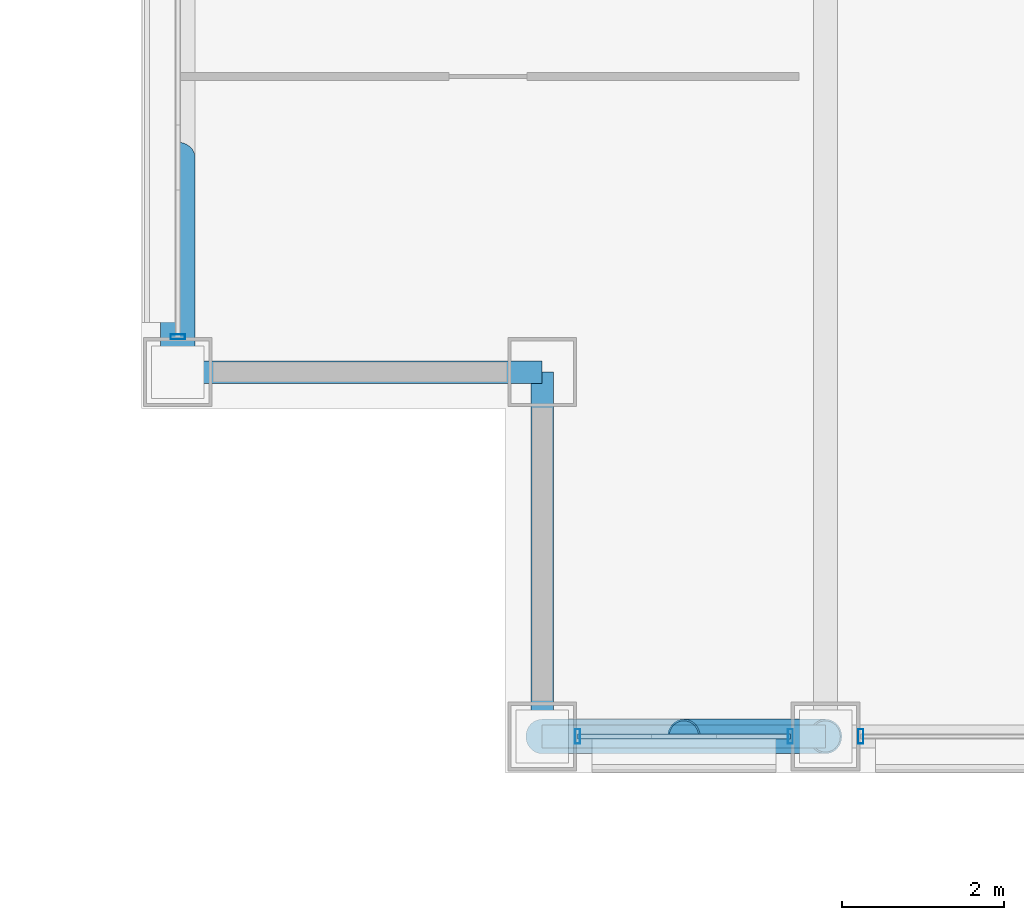
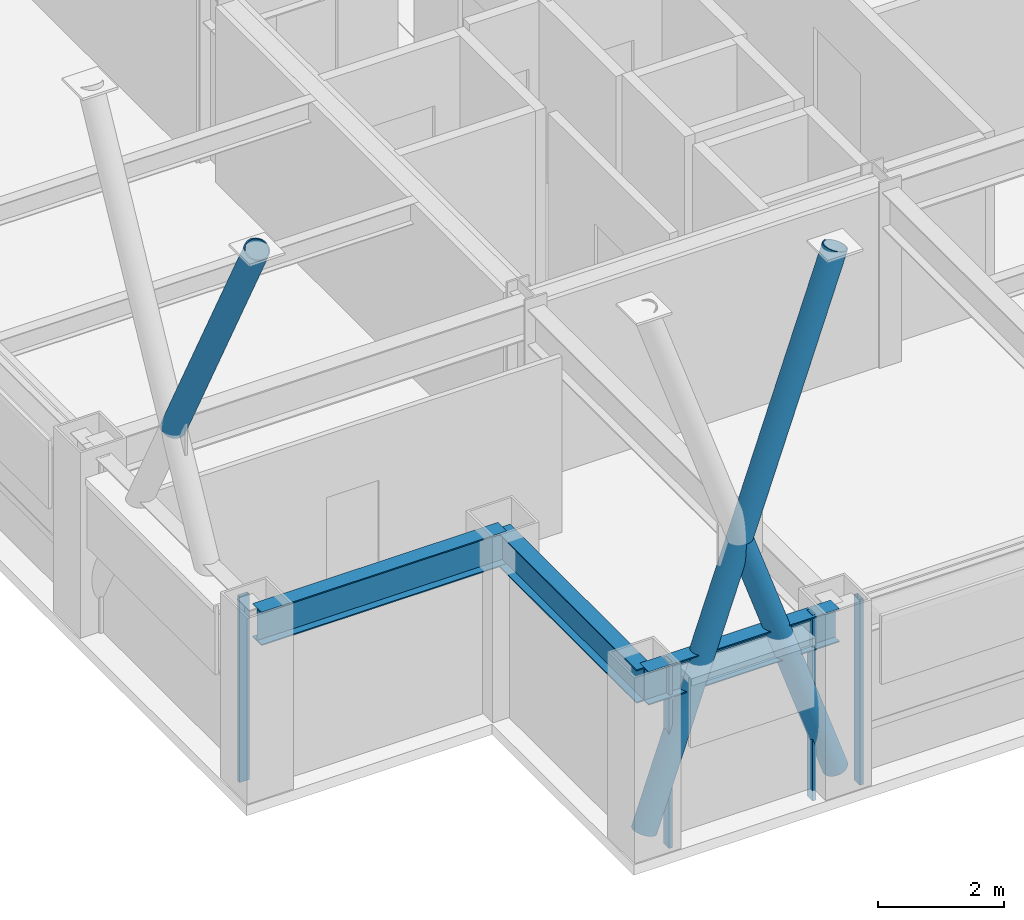
# One storey, part 2 of 32: 8 members, 3 beams, 3 elements without a shape of their own.
"""IFC4 building model written with IfcOpenShell, lengths in metres."""

import ifcopenshell
import ifcopenshell.guid

model = None  # the IFC model being written
_history = None  # IfcOwnerHistory: only IFC2X3 demands one
_inside = {}  # id of a spatial element -> (the spatial element, [elements in it])
_under = {}  # id of a project, library or spatial element -> (it, [spatial elements below it])
_declared = {}  # id of a project -> (the project, [libraries it declares])
_typed = {}  # id of a type object -> (the type object, [elements of that type])
_made_of = {}  # id of a material, layer set ... -> (it, [elements and type objects made of it])


def new_model(schema):
    """Start an empty IFC model of exactly this schema.

    Asked for "IFC4X3", IfcOpenShell would pick the latest addendum, in which some entities
    have other attributes; the version numbers below select the first issue.
    IFC2X3 requires an IfcOwnerHistory on every rooted entity: one is made here for all.
    """
    global model, _history
    if schema == "IFC4X3":
        model = ifcopenshell.file(schema_version=(4, 3, 0, 0))
    else:
        model = ifcopenshell.file(schema=schema)
    _inside.clear()
    _under.clear()
    _declared.clear()
    _typed.clear()
    _made_of.clear()
    _history = None
    if model.schema == "IFC2X3":
        org = make("IfcOrganization", Name="unknown")
        user = make(
            "IfcPersonAndOrganization",
            ThePerson=make("IfcPerson", FamilyName="unknown"),
            TheOrganization=org,
        )
        app = make(
            "IfcApplication",
            ApplicationDeveloper=org,
            Version="unknown",
            ApplicationFullName="unknown",
            ApplicationIdentifier="unknown",
        )
        _history = make(
            "IfcOwnerHistory",
            OwningUser=user,
            OwningApplication=app,
            ChangeAction="ADDED",
            CreationDate=0,
        )
    return model


def make(cls, **values):
    """One entity of the class cls with the attributes given. An attribute that is None is left unset."""
    return model.create_entity(
        cls, **{name: value for name, value in values.items() if value is not None}
    )


def rooted(cls, **values):
    """An entity with a GlobalId (a new one), such as an element, a storey or a relation."""
    return make(cls, GlobalId=ifcopenshell.guid.new(), OwnerHistory=_history, **values)


def si_unit(unit_type, name, prefix=None):
    """IfcSIUnit, for example si_unit("LENGTHUNIT", "METRE", prefix="MILLI")."""
    return make("IfcSIUnit", UnitType=unit_type, Prefix=prefix, Name=name)


def assignment(units):
    """IfcUnitAssignment: the units of a project."""
    return None if units is None else make("IfcUnitAssignment", Units=units)


def point(xyz):
    """IfcCartesianPoint."""
    return None if xyz is None else make("IfcCartesianPoint", Coordinates=xyz)


def direction(xyz):
    """IfcDirection."""
    return None if xyz is None else make("IfcDirection", DirectionRatios=xyz)


def frame(location, z_axis=None, x_axis=None):
    """IfcAxis2Placement3D, a coordinate frame: its origin and axes. An axis left out is left unset."""
    return make(
        "IfcAxis2Placement3D",
        Location=point(location),
        Axis=direction(z_axis),
        RefDirection=direction(x_axis),
    )


def frame_2d(location, x_axis=None):
    """IfcAxis2Placement2D, a coordinate frame in the plane: its origin and x axis."""
    return make(
        "IfcAxis2Placement2D", Location=point(location), RefDirection=direction(x_axis)
    )


def origin():
    """The frame at (0, 0, 0) with its axes left unset."""
    return frame((0.0, 0.0, 0.0))


def origin_2d():
    """The frame at (0, 0) in the plane with its x axis left unset."""
    return frame_2d((0.0, 0.0))


def place(relative_to, where):
    """IfcLocalPlacement: puts the frame where relative to a parent placement (None: the world)."""
    return make(
        "IfcLocalPlacement", PlacementRelTo=relative_to, RelativePlacement=where
    )


def context(
    kind, dimensions, precision=None, world=None, true_north=None, identifier=None
):
    """IfcGeometricRepresentationContext, for example the 3D "Model" context."""
    return make(
        "IfcGeometricRepresentationContext",
        ContextIdentifier=identifier,
        ContextType=kind,
        CoordinateSpaceDimension=dimensions,
        Precision=precision,
        WorldCoordinateSystem=world,
        TrueNorth=true_north,
    )


def subcontext(parent, identifier, kind, view, scale=None):
    """IfcGeometricRepresentationSubContext, for example "Body" below "Model"."""
    return make(
        "IfcGeometricRepresentationSubContext",
        ContextIdentifier=identifier,
        ContextType=kind,
        ParentContext=parent,
        TargetScale=scale,
        TargetView=view,
    )


def project(units=None, contexts=None):
    """IfcProject with its units and contexts."""
    return rooted(
        "IfcProject",
        Name="project",
        RepresentationContexts=contexts,
        UnitsInContext=assignment(units),
    )


def spatial(cls, under=None, at=None, **own):
    """A site, building, storey or space (cls), placed at a placement, below another one or the project."""
    s = rooted(cls, ObjectPlacement=at, **own)
    if under is not None:
        _under.setdefault(under.id(), (under, []))[1].append(s)
    return s


def profile(cls, at=None, kind="AREA", **sizes):
    """A parametric profile (cls). Its sizes go by their IFC names, for example OverallWidth=200.0."""
    return make(cls, ProfileType=kind, Position=at, **sizes)


def hollow_rectangle(**sizes):
    """IfcRectangleHollowProfileDef."""
    return profile("IfcRectangleHollowProfileDef", **sizes)


def hollow_circle(**sizes):
    """IfcCircleHollowProfileDef."""
    return profile("IfcCircleHollowProfileDef", **sizes)


def i_section(**sizes):
    """IfcIShapeProfileDef."""
    return profile("IfcIShapeProfileDef", **sizes)


def extrude(swept, where, along, depth):
    """IfcExtrudedAreaSolid: the profile swept, set in the frame where, extruded along a direction by depth."""
    return make(
        "IfcExtrudedAreaSolid",
        SweptArea=swept,
        Position=where,
        ExtrudedDirection=direction(along),
        Depth=depth,
    )


def shape(context_of_items, identifier, shape_type, items):
    """IfcShapeRepresentation: the items that make up one representation, for example the "Body"."""
    return make(
        "IfcShapeRepresentation",
        ContextOfItems=context_of_items,
        RepresentationIdentifier=identifier,
        RepresentationType=shape_type,
        Items=items,
    )


def material(Name=None, Category=None):
    """IfcMaterial."""
    return make("IfcMaterial", Name=Name, Category=Category)


def layer(
    of_material, thickness, ventilated=None, Name=None, Category=None, Priority=None
):
    """IfcMaterialLayer: one layer of a wall or slab, of a material (None: an air gap)."""
    return make(
        "IfcMaterialLayer",
        Material=of_material,
        LayerThickness=thickness,
        IsVentilated=ventilated,
        Name=Name,
        Category=Category,
        Priority=Priority,
    )


def layer_set(layers, Name=None):
    """IfcMaterialLayerSet."""
    return make("IfcMaterialLayerSet", MaterialLayers=layers, LayerSetName=Name)


def material_profile(
    of_material, cross_section, Name=None, Category=None, Priority=None
):
    """IfcMaterialProfile: a cross section and its material."""
    return make(
        "IfcMaterialProfile",
        Name=Name,
        Material=of_material,
        Profile=cross_section,
        Priority=Priority,
        Category=Category,
    )


def profile_set(profiles, Name=None, composite=None):
    """IfcMaterialProfileSet."""
    return make(
        "IfcMaterialProfileSet",
        Name=Name,
        MaterialProfiles=profiles,
        CompositeProfile=composite,
    )


def made_of(thing, what):
    """Note that an element or type object is made of a material, layer set ...; save() writes the relation."""
    if what is not None:
        _made_of.setdefault(what.id(), (what, []))[1].append(thing)
    return thing


def type_object(cls, material=None, **own):
    """A type object (cls), such as IfcWallType, which elements share."""
    return made_of(rooted(cls, **own), material)


def element(
    cls,
    number,
    at=None,
    inside=None,
    cuts=None,
    type_object=None,
    material=None,
    context=None,
    identifier="Body",
    shape_type=None,
    held_by="IfcProductDefinitionShape",
    body=None,
    shapes=None,
    **own,
):
    """One element of the class cls, such as IfcWall. Its Tag is "e" and its number.

    at: its placement. inside: the storey or other place that contains it. cuts: it is an
    opening in that element (IfcRelVoidsElement). A single representation is given by context,
    identifier, shape_type and body (its items); several are given by shapes. held_by: the class
    of the entity that holds the representations. save() writes the other relations.
    """
    e = rooted(cls, Tag="e%d" % number, ObjectPlacement=at, **own)
    if body is not None:
        shapes = [shape(context, identifier, shape_type, body)]
    if shapes is not None:
        e.Representation = make(held_by, Representations=shapes)
    if inside is not None:
        _inside.setdefault(inside.id(), (inside, []))[1].append(e)
    if cuts is not None:
        rooted(
            "IfcRelVoidsElement", RelatingBuildingElement=cuts, RelatedOpeningElement=e
        )
    if type_object is not None:
        _typed.setdefault(type_object.id(), (type_object, []))[1].append(e)
    return made_of(e, material)


def aggregate(whole, parts):
    """IfcRelAggregates: a whole, such as a stair, and the parts it consists of."""
    return rooted("IfcRelAggregates", RelatingObject=whole, RelatedObjects=parts)


def save(model, path):
    """Write the relations noted so far, then the file.

    IfcRelAggregates (storeys below a building ...), IfcRelContainedInSpatialStructure (elements
    in a storey), IfcRelDefinesByType, IfcRelAssociatesMaterial and IfcRelDeclares: one each for
    every whole, place, type object, material and project.
    """
    for whole, parts in _under.values():
        aggregate(whole, parts)
    for where, things in _inside.values():
        rooted(
            "IfcRelContainedInSpatialStructure",
            RelatedElements=things,
            RelatingStructure=where,
        )
    for kind, things in _typed.values():
        rooted("IfcRelDefinesByType", RelatedObjects=things, RelatingType=kind)
    for what, things in _made_of.values():
        rooted("IfcRelAssociatesMaterial", RelatedObjects=things, RelatingMaterial=what)
    for by, libraries in _declared.values():
        rooted("IfcRelDeclares", RelatingContext=by, RelatedDefinitions=libraries)
    model.write(path)


model = new_model("IFC4")

# Units and contexts
model_context = context("Model", 3, precision=1e-05, world=origin(), true_north=direction((0.0, 1.0)))
body_context = subcontext(model_context, "Body", "Model", "MODEL_VIEW")
ifc_project = project(units=[si_unit("LENGTHUNIT", "METRE"), si_unit("AREAUNIT", "SQUARE_METRE"), si_unit("VOLUMEUNIT", "CUBIC_METRE"), si_unit("PLANEANGLEUNIT", "RADIAN"), si_unit("MASSUNIT", "GRAM", prefix="KILO")], contexts=[model_context])

# Site, building, storey
site_placement = place(None, origin())
site = spatial("IfcSite", under=ifc_project, at=site_placement, CompositionType="ELEMENT")
building_placement = place(site_placement, origin())
building = spatial("IfcBuilding", under=site, at=building_placement, Name="Brelmoor Portico Tower", CompositionType="ELEMENT")
storey_placement = place(building_placement, frame((0.0, 0.0, 109.800048828125)))
storey = spatial("IfcBuildingStorey", under=building, at=storey_placement, Name="L28", CompositionType="ELEMENT", Elevation=109.800048828125)

# Beams
ifc_material_1 = material(Name="Steel Q355B", Category="steel")
ifc_material_profile_1 = material_profile(ifc_material_1, i_section(OverallWidth=0.280029296875, OverallDepth=0.64990234375, WebThickness=0.012939453125, FlangeThickness=0.02197265625, at=origin_2d()), Name="HN 650x280x13x22")
ifc_profile_set_1 = profile_set([ifc_material_profile_1], Name="Steel Q355B")
beam_type = type_object("IfcBeamType", Name="BM-SP-650", PredefinedType="SPANDREL", material=ifc_profile_set_1)
beam_placement = place(storey_placement, frame((-18.050048828125, -19.550048828125, 3.074951171875), z_axis=(1.0, 0.0, 0.0), x_axis=(0.0, 1.0, 0.0)))
element("IfcBeam", 1, at=beam_placement, inside=storey, type_object=beam_type, Name="L28 Perimeter Spandrel Beam SP-01", PredefinedType="SPANDREL", context=body_context, shape_type="SweptSolid", body=[
    extrude(i_section(OverallWidth=0.280029296875, OverallDepth=0.64990234375, WebThickness=0.012939453125, FlangeThickness=0.02197265625, at=origin_2d()), origin(), (0.0, 0.0, 1.0), 3.5),
])
for number, where, z_axis, x_axis, name in (
    (2, (-22.550048828125, -15.050048828125, 3.074951171875), (1.0, 0.0, 0.0), (0.0, 1.0, 0.0), "L28 Perimeter Spandrel Beam SP-06"),
    (3, (-18.050048828125, -19.550048828125, 3.074951171875), (0.0, 1.0, 0.0), (-1.0, 0.0, 0.0), "L28 Perimeter Spandrel Beam SP-18"),
):
    element("IfcBeam", number, at=place(storey_placement, frame(where, z_axis=z_axis, x_axis=x_axis)), inside=storey, type_object=beam_type, Name=name, PredefinedType="SPANDREL", context=body_context, shape_type="SweptSolid", body=[
        extrude(i_section(OverallWidth=0.280029296875, OverallDepth=0.64990234375, WebThickness=0.012939453125, FlangeThickness=0.02197265625, at=origin_2d()), origin(), (0.0, 0.0, 1.0), 4.5),
    ])

# Members
ifc_material_profile_2 = material_profile(ifc_material_1, hollow_circle(Radius=0.212890625, WallThickness=0.02001953125, at=origin_2d()), Name="CHS 426x20")
ifc_profile_set_2 = profile_set([ifc_material_profile_2], Name="Steel Q355B")
member_type_1 = type_object("IfcMemberType", Name="MB-BELT-DIAG1", PredefinedType="BRACE", material=ifc_profile_set_2)
member_1_placement = place(storey_placement, frame((-18.050048828125, -19.550048828125, 0.25), z_axis=(0.327436099292, 0.0, 0.944873325309), x_axis=(0.0, 1.0, 0.0)))
element("IfcMember", 4, at=member_1_placement, inside=storey, type_object=member_type_1, Name="L28 Continuous Mega-X Brace 057A", PredefinedType="BRACE", context=body_context, shape_type="SweptSolid", body=[
    extrude(hollow_circle(Radius=0.212890625, WallThickness=0.02001953125, at=origin_2d()), origin(), (0.0, 0.0, 1.0), 10.689208984375),
])
member_2_placement = place(storey_placement, frame((-14.550048828125, -19.550048828125, 0.25), z_axis=(-0.327429033028, 0.0, 0.94487577402), x_axis=(0.0, -1.0, 0.0)))
element("IfcMember", 5, at=member_2_placement, inside=storey, type_object=member_type_1, Name="L28 Split Mega-X Brace 057B1", PredefinedType="BRACE", context=body_context, shape_type="SweptSolid", body=[
    extrude(hollow_circle(Radius=0.212890625, WallThickness=0.02001953125, at=origin_2d()), origin(), (0.0, 0.0, 1.0), 5.3447265625),
])
member_3_placement = place(storey_placement, frame((-22.550048828125, -12.39990234375, 5.300048828125), z_axis=(0.0, -0.464696299147, 0.885470129117), x_axis=(1.0, 0.0, 0.0)))
element("IfcMember", 6, at=member_3_placement, inside=storey, type_object=member_type_1, Name="L28 Split Mega-X Brace 061B2", PredefinedType="BRACE", context=body_context, shape_type="SweptSolid", body=[
    extrude(hollow_circle(Radius=0.212890625, WallThickness=0.02001953125, at=origin_2d()), origin(), (0.0, 0.0, 1.0), 5.702880859375),
])

# Curtain wall, members
ifc_material_2 = material(Name="Anodised Aluminium Alloy 6063-T6", Category="aluminium")
ifc_layer_1 = layer(ifc_material_2, 0.179931640625)
ifc_layer_set_1 = layer_set([ifc_layer_1], Name="Anodised Aluminium Alloy 6063-T6")
curtain_wall_type_1 = type_object("IfcCurtainWallType", Name="CW-TOWER-Z2-XB", PredefinedType="NOTDEFINED", material=ifc_layer_set_1)
curtain_wall_1_placement = place(storey_placement, origin())
curtain_wall_1 = element("IfcCurtainWall", 7, at=curtain_wall_1_placement, inside=storey, type_object=curtain_wall_type_1, Name="L28 Curtain Wall CW-L28-1L-1", PredefinedType="NOTDEFINED")
ifc_material_profile_3 = material_profile(ifc_material_2, hollow_rectangle(XDim=0.06494140625, YDim=0.179931640625, WallThickness=0.00390625, at=origin_2d()), Name="ALU MULLION 65x180")
ifc_profile_set_3 = profile_set([ifc_material_profile_3], Name="Anodised Aluminium Alloy 6063-T6")
member_type_2 = type_object("IfcMemberType", Name="MB-CW-MULL-180", PredefinedType="MULLION", material=ifc_profile_set_3)
member_4_placement = place(storey_placement, frame((-17.614990234375, -19.550048828125, -0.199951171875), z_axis=(0.0, 0.0, 1.0), x_axis=(1.0, 0.0, 0.0)))
member_4 = element("IfcMember", 8, at=member_4_placement, type_object=member_type_2, Name="CW-L28-1L-1 Mullion 00", PredefinedType="MULLION", context=body_context, shape_type="SweptSolid", body=[
    extrude(hollow_rectangle(XDim=0.06494140625, YDim=0.179931640625, WallThickness=0.00390625, at=origin_2d()), origin(), (0.0, 0.0, 1.0), 3.599853515625),
])
member_5_placement = place(storey_placement, frame((-14.985107421875, -19.550048828125, -0.199951171875), z_axis=(0.0, 0.0, 1.0), x_axis=(1.0, 0.0, 0.0)))
member_5 = element("IfcMember", 9, at=member_5_placement, type_object=member_type_2, Name="CW-L28-1L-1 Mullion 01", PredefinedType="MULLION", context=body_context, shape_type="SweptSolid", body=[
    extrude(hollow_rectangle(XDim=0.06494140625, YDim=0.179931640625, WallThickness=0.00390625, at=origin_2d()), origin(), (0.0, 0.0, 1.0), 3.599853515625),
])

# Curtain wall, member
ifc_layer_2 = layer(ifc_material_2, 0.179931640625)
ifc_layer_set_2 = layer_set([ifc_layer_2], Name="Anodised Aluminium Alloy 6063-T6")
curtain_wall_type_2 = type_object("IfcCurtainWallType", Name="CW-TOWER-Z2", PredefinedType="NOTDEFINED", material=ifc_layer_set_2)
curtain_wall_2_placement = place(storey_placement, origin())
curtain_wall_2 = element("IfcCurtainWall", 10, at=curtain_wall_2_placement, inside=storey, type_object=curtain_wall_type_2, Name="L28 Curtain Wall CW-L28-1L-2", PredefinedType="NOTDEFINED")
member_6_placement = place(storey_placement, frame((-14.114990234375, -19.550048828125, -0.199951171875), z_axis=(0.0, 0.0, 1.0), x_axis=(1.0, 0.0, 0.0)))
member_6 = element("IfcMember", 11, at=member_6_placement, type_object=member_type_2, Name="CW-L28-1L-2 Mullion 00", PredefinedType="MULLION", context=body_context, shape_type="SweptSolid", body=[
    extrude(hollow_rectangle(XDim=0.06494140625, YDim=0.179931640625, WallThickness=0.00390625, at=origin_2d()), origin(), (0.0, 0.0, 1.0), 3.599853515625),
])
aggregate(curtain_wall_2, [member_6])

curtain_wall_3_placement = place(storey_placement, origin())
curtain_wall_3 = element("IfcCurtainWall", 12, at=curtain_wall_3_placement, inside=storey, type_object=curtain_wall_type_1, Name="L28 Curtain Wall CW-L28-3L-1", PredefinedType="NOTDEFINED")
member_7_placement = place(storey_placement, frame((-22.550048828125, -14.614990234375, -0.199951171875), z_axis=(0.0, 0.0, 1.0), x_axis=(0.0, 1.0, 0.0)))
member_7 = element("IfcMember", 13, at=member_7_placement, type_object=member_type_2, Name="CW-L28-3L-1 Mullion 00", PredefinedType="MULLION", context=body_context, shape_type="SweptSolid", body=[
    extrude(hollow_rectangle(XDim=0.06494140625, YDim=0.179931640625, WallThickness=0.00390625, at=origin_2d()), origin(), (0.0, 0.0, 1.0), 3.599853515625),
])
aggregate(curtain_wall_3, [member_7])

# Member
ifc_material_profile_4 = material_profile(ifc_material_2, hollow_rectangle(XDim=0.06494140625, YDim=0.139892578125, WallThickness=0.00390625, at=origin_2d()), Name="ALU TRANSOM 65x140")
ifc_profile_set_4 = profile_set([ifc_material_profile_4], Name="Anodised Aluminium Alloy 6063-T6")
member_type_3 = type_object("IfcMemberType", Name="MB-CW-TRAN-140", PredefinedType="USERDEFINED", material=ifc_profile_set_4)
member_8_placement = place(storey_placement, frame((-17.614990234375, -19.550048828125, 3.329833984375), z_axis=(1.0, 0.0, 0.0), x_axis=(0.0, 1.0, 0.0)))
member_8 = element("IfcMember", 14, at=member_8_placement, type_object=member_type_3, Name="CW-L28-1L-1 Transom 1-00", ObjectType="TRANSOM", PredefinedType="USERDEFINED", context=body_context, shape_type="SweptSolid", body=[
    extrude(hollow_rectangle(XDim=0.06494140625, YDim=0.139892578125, WallThickness=0.00390625, at=origin_2d()), origin(), (0.0, 0.0, 1.0), 2.6298828125),
])

aggregate(curtain_wall_1, [member_4, member_5, member_8])

save(model, "model.ifc")
